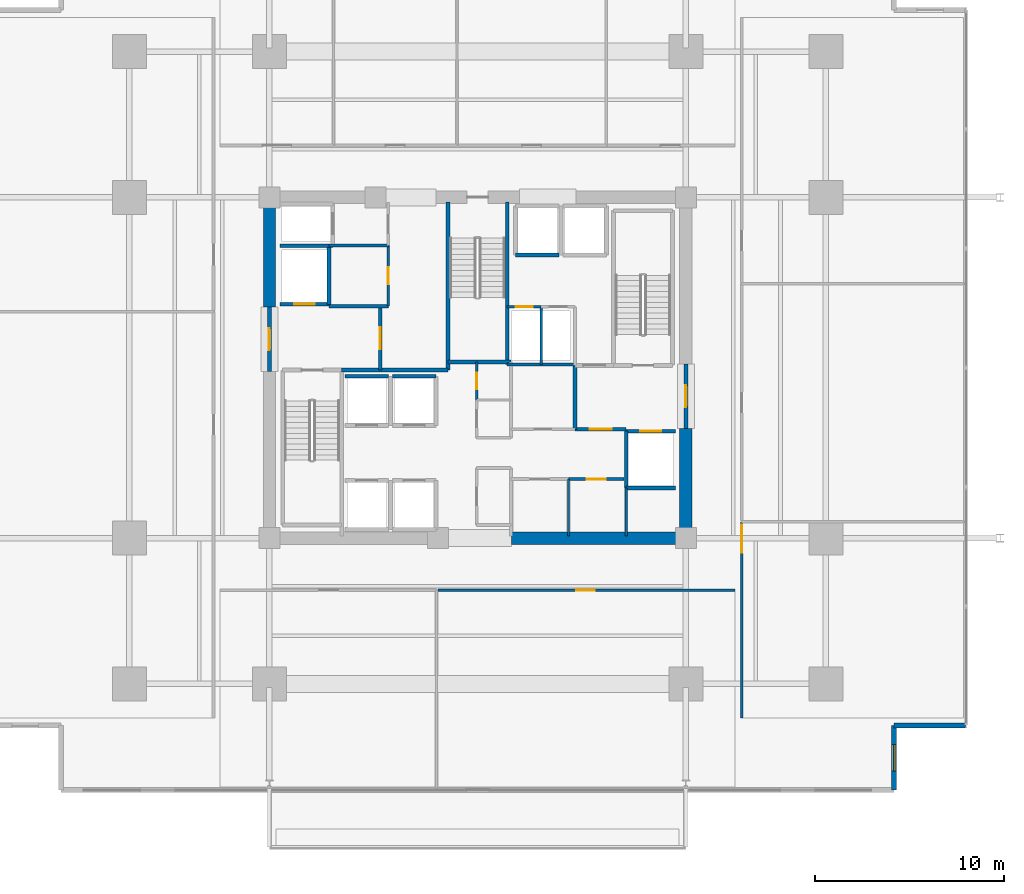
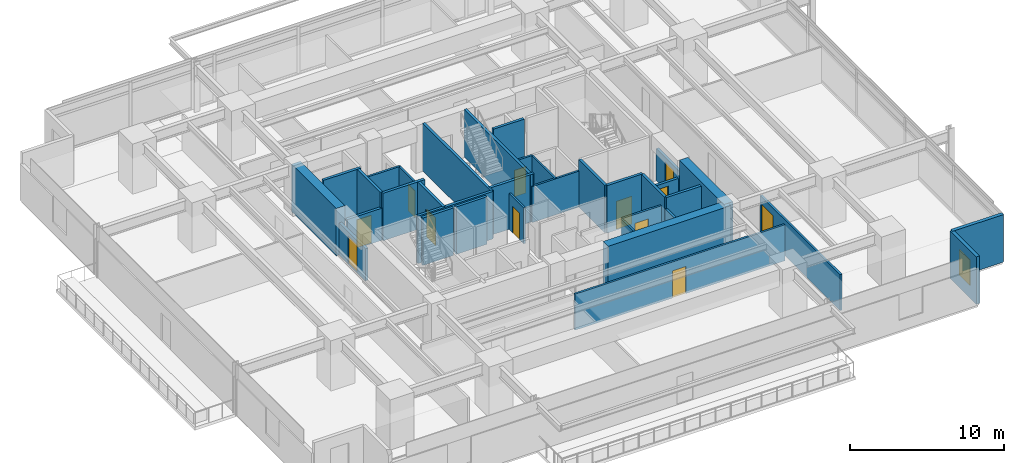
# One storey, part 15 of 22: 35 walls, 12 doors, 1 window, 13 openings.
"""IFC4 building model written with IfcOpenShell, lengths in metres."""

from ifc_helpers import new_model, si_unit, direction, frame, frame_2d, origin, place, context, subcontext, project, spatial, rectangle, extrude, material, layer, layer_set, type_object, element, fill, save


model = new_model("IFC4")

# Units and contexts
model_context = context("Model", 3, precision=1e-05, world=origin(), true_north=direction((0.0, 1.0)))
body_context = subcontext(model_context, "Body", "Model", "MODEL_VIEW")
ifc_project = project(units=[si_unit("LENGTHUNIT", "METRE"), si_unit("AREAUNIT", "SQUARE_METRE"), si_unit("VOLUMEUNIT", "CUBIC_METRE"), si_unit("PLANEANGLEUNIT", "RADIAN"), si_unit("MASSUNIT", "GRAM", prefix="KILO")], contexts=[model_context])

# Site, building, storey
site_placement = place(None, origin())
site = spatial("IfcSite", under=ifc_project, at=site_placement, CompositionType="ELEMENT")
building_placement = place(site_placement, origin())
building = spatial("IfcBuilding", under=site, at=building_placement, Name="Kovane Verandah Tower", CompositionType="ELEMENT")
storey_placement = place(building_placement, frame((0.0, 0.0, 59.60009765625)))
storey = spatial("IfcBuildingStorey", under=building, at=storey_placement, Name="L13", CompositionType="ELEMENT", Elevation=59.60009765625)

# Wall, opening, door
ifc_material_1 = material(Name="Fire-Rated Gypsum Stud Partition", Category="gypsum")
ifc_layer_1 = layer(ifc_material_1, 0.14990234375)
ifc_layer_set_1 = layer_set([ifc_layer_1], Name="Fire-Rated Gypsum Stud Partition")
wall_type_1 = type_object("IfcWallType", Name="WL-COR-150", PredefinedType="PARTITIONING", material=ifc_layer_set_1)
wall_1_placement = place(storey_placement, frame((39.949951171875, 25.800048828125, 0.0), z_axis=(0.0, 0.0, 1.0), x_axis=(0.0, 1.0, 0.0)))
wall_1 = element("IfcWall", 1, at=wall_1_placement, inside=storey, type_object=wall_type_1, Name="L13 Electrical Riser Room Partition", PredefinedType="PARTITIONING", context=body_context, shape_type="SweptSolid", body=[
    extrude(rectangle(XDim=2.0, YDim=0.14990234375, at=frame_2d((1.0, 0.0))), origin(), (0.0, 0.0, 1.0), 2.849853515625),
])
opening_1_placement = place(wall_1_placement, frame((0.56005859375, 0.0, 0.0)))
opening_1 = element("IfcOpeningElement", 2, at=opening_1_placement, cuts=wall_1, Name="Opening DR-L13-026", PredefinedType="OPENING", context=body_context, shape_type="SweptSolid", body=[
    extrude(rectangle(XDim=0.8798828125, YDim=2.10009765625, at=frame_2d((0.43994140625, 1.050048828125))), frame((0.0, 0.074951171875, 0.0), z_axis=(0.0, -1.0, 0.0), x_axis=(1.0, 0.0, 0.0)), (0.0, 0.0, 1.0), 0.14990234375),
])
ifc_material_2 = material(Name="Fire-Rated Steel Riser Access Door", Category="steel")
door_type_1 = type_object("IfcDoorType", Name="DR-RISER-880", OperationType="SINGLE_SWING_LEFT", PredefinedType="DOOR", material=ifc_material_2)
door_1_placement = place(opening_1_placement, origin())
door_1 = element("IfcDoor", 3, at=door_1_placement, inside=storey, type_object=door_type_1, Name="L13 Electrical Riser Room Door", OperationType="SINGLE_SWING_LEFT", OverallHeight=2.10009765625, OverallWidth=0.8798828125, PredefinedType="DOOR", context=body_context, shape_type="SweptSolid", body=[
    extrude(rectangle(XDim=0.8798828125, YDim=2.10009765625, at=frame_2d((0.43994140625, 1.050048828125))), frame((0.0, 0.02490234375, 0.0), z_axis=(0.0, -1.0, 0.0), x_axis=(1.0, 0.0, 0.0)), (0.0, 0.0, 1.0), 0.050048828125),
])
fill(opening_1, door_1)

# Wall
wall_2_placement = place(storey_placement, frame((32.14990234375, 33.949951171875, 0.0), z_axis=(0.0, 0.0, 1.0), x_axis=(1.0, 0.0, 0.0)))
element("IfcWall", 4, at=wall_2_placement, inside=storey, type_object=wall_type_1, Name="L13 Goods Lift Lobby South Wall", PredefinedType="PARTITIONING", context=body_context, shape_type="SweptSolid", body=[
    extrude(rectangle(XDim=3.130126953125, YDim=0.14990234375, at=frame_2d((1.56494140625, 0.0))), origin(), (0.0, 0.0, 1.0), 2.849853515625),
])

# Wall, opening, door
wall_3_placement = place(storey_placement, frame((35.280029296875, 30.75, 0.0), z_axis=(0.0, 0.0, 1.0), x_axis=(0.0, 1.0, 0.0)))
wall_3 = element("IfcWall", 5, at=wall_3_placement, inside=storey, type_object=wall_type_1, Name="L13 Accessible Unisex Toilet Partition", PredefinedType="PARTITIONING", context=body_context, shape_type="SweptSolid", body=[
    extrude(rectangle(XDim=3.199951171875, YDim=0.14990234375, at=frame_2d((1.60009765625, 0.0))), origin(), (0.0, 0.0, 1.0), 2.849853515625),
])
opening_2_placement = place(wall_3_placement, frame((1.14990234375, 0.0, 0.0)))
opening_2 = element("IfcOpeningElement", 6, at=opening_2_placement, cuts=wall_3, Name="Opening DR-L13-027", PredefinedType="OPENING", context=body_context, shape_type="SweptSolid", body=[
    extrude(rectangle(XDim=0.89990234375, YDim=2.10009765625, at=frame_2d((0.449951171875, 1.050048828125))), frame((0.0, 0.074951171875, 0.0), z_axis=(0.0, -1.0, 0.0), x_axis=(1.0, 0.0, 0.0)), (0.0, 0.0, 1.0), 0.14990234375),
])
ifc_material_3 = material(Name="Moisture-Resistant Laminate Washroom Door", Category="wood")
door_type_2 = type_object("IfcDoorType", Name="DR-WC-900", OperationType="SINGLE_SWING_LEFT", PredefinedType="DOOR", material=ifc_material_3)
door_2_placement = place(opening_2_placement, origin())
door_2 = element("IfcDoor", 7, at=door_2_placement, inside=storey, type_object=door_type_2, Name="L13 Accessible Unisex Toilet Door", OperationType="SINGLE_SWING_LEFT", OverallHeight=2.10009765625, OverallWidth=0.89990234375, PredefinedType="DOOR", context=body_context, shape_type="SweptSolid", body=[
    extrude(rectangle(XDim=0.89990234375, YDim=2.10009765625, at=frame_2d((0.449951171875, 1.050048828125))), frame((0.0, 0.02490234375, 0.0), z_axis=(0.0, -1.0, 0.0), x_axis=(1.0, 0.0, 0.0)), (0.0, 0.0, 1.0), 0.050048828125),
])
fill(opening_2, door_2)

# Walls
wall_4_placement = place(storey_placement, frame((41.56005859375, 27.679931640625, 0.0), z_axis=(0.0, 0.0, 1.0), x_axis=(1.0, 0.0, 0.0)))
element("IfcWall", 8, at=wall_4_placement, inside=storey, type_object=wall_type_1, Name="L13 East Core Service Riser South Wall", PredefinedType="PARTITIONING", context=body_context, shape_type="SweptSolid", body=[
    extrude(rectangle(XDim=3.58984375, YDim=0.14990234375, at=frame_2d((1.794921875, 0.0))), origin(), (0.0, 0.0, 1.0), 2.849853515625),
])
wall_5_placement = place(storey_placement, frame((47.85009765625, 18.60009765625, 0.0), z_axis=(0.0, 0.0, 1.0), x_axis=(0.0, 1.0, 0.0)))
element("IfcWall", 9, at=wall_5_placement, inside=storey, type_object=wall_type_1, Name="L13 East Core Support East Wall", PredefinedType="PARTITIONING", context=body_context, shape_type="SweptSolid", body=[
    extrude(rectangle(XDim=2.539794921875, YDim=0.14990234375, at=frame_2d((1.27001953125, 0.0))), origin(), (0.0, 0.0, 1.0), 2.849853515625),
])

# Wall, opening, door
wall_6_placement = place(storey_placement, frame((44.800048828125, 21.6201171875, 0.0), z_axis=(0.0, 0.0, 1.0), x_axis=(1.0, 0.0, 0.0)))
wall_6 = element("IfcWall", 10, at=wall_6_placement, inside=storey, type_object=wall_type_1, Name="L13 East IT Server Room Partition", PredefinedType="PARTITIONING", context=body_context, shape_type="SweptSolid", body=[
    extrude(rectangle(XDim=2.93994140625, YDim=0.14990234375, at=frame_2d((1.469970703125, 0.0))), origin(), (0.0, 0.0, 1.0), 2.849853515625),
])
opening_3_placement = place(wall_6_placement, frame((0.969970703125, 0.0, 0.0)))
opening_3 = element("IfcOpeningElement", 11, at=opening_3_placement, cuts=wall_6, Name="Opening DR-L13-016", PredefinedType="OPENING", context=body_context, shape_type="SweptSolid", body=[
    extrude(rectangle(XDim=1.0, YDim=2.14990234375, at=frame_2d((0.5, 1.074951171875))), frame((0.0, 0.074951171875, 0.0), z_axis=(0.0, -1.0, 0.0), x_axis=(1.0, 0.0, 0.0)), (0.0, 0.0, 1.0), 0.14990234375),
])
ifc_material_4 = material(Name="FSC Spotted-Gum Timber Fire-Rated Office Door", Category="wood")
door_type_3 = type_object("IfcDoorType", Name="DR-OFF-1000", OperationType="SINGLE_SWING_LEFT", PredefinedType="DOOR", material=ifc_material_4)
door_3_placement = place(opening_3_placement, origin())
door_3 = element("IfcDoor", 12, at=door_3_placement, inside=storey, type_object=door_type_3, Name="L13 East IT Server Room Door", OperationType="SINGLE_SWING_LEFT", OverallHeight=2.14990234375, OverallWidth=1.0, PredefinedType="DOOR", context=body_context, shape_type="SweptSolid", body=[
    extrude(rectangle(XDim=1.0, YDim=2.14990234375, at=frame_2d((0.5, 1.074951171875))), frame((0.0, 0.02490234375, 0.0), z_axis=(0.0, -1.0, 0.0), x_axis=(1.0, 0.0, 0.0)), (0.0, 0.0, 1.0), 0.050048828125),
])
fill(opening_3, door_3)

wall_7_placement = place(storey_placement, frame((41.56005859375, 30.719970703125, 0.0), z_axis=(0.0, 0.0, 1.0), x_axis=(1.0, 0.0, 0.0)))
wall_7 = element("IfcWall", 13, at=wall_7_placement, inside=storey, type_object=wall_type_1, Name="L13 Chilled Water Riser Room Partition", PredefinedType="PARTITIONING", context=body_context, shape_type="SweptSolid", body=[
    extrude(rectangle(XDim=1.800048828125, YDim=0.14990234375, at=frame_2d((0.89990234375, 0.0))), origin(), (0.0, 0.0, 1.0), 2.849853515625),
])
opening_4_placement = place(wall_7_placement, frame((0.4599609375, 0.0, 0.0)))
opening_4 = element("IfcOpeningElement", 14, at=opening_4_placement, cuts=wall_7, Name="Opening DR-L13-018", PredefinedType="OPENING", context=body_context, shape_type="SweptSolid", body=[
    extrude(rectangle(XDim=0.8798828125, YDim=2.10009765625, at=frame_2d((0.43994140625, 1.050048828125))), frame((0.0, 0.074951171875, 0.0), z_axis=(0.0, -1.0, 0.0), x_axis=(1.0, 0.0, 0.0)), (0.0, 0.0, 1.0), 0.14990234375),
])
door_4_placement = place(opening_4_placement, origin())
door_4 = element("IfcDoor", 15, at=door_4_placement, inside=storey, type_object=door_type_1, Name="L13 Chilled Water Riser Room Door", OperationType="SINGLE_SWING_LEFT", OverallHeight=2.10009765625, OverallWidth=0.8798828125, PredefinedType="DOOR", context=body_context, shape_type="SweptSolid", body=[
    extrude(rectangle(XDim=0.8798828125, YDim=2.10009765625, at=frame_2d((0.43994140625, 1.050048828125))), frame((0.0, 0.02490234375, 0.0), z_axis=(0.0, -1.0, 0.0), x_axis=(1.0, 0.0, 0.0)), (0.0, 0.0, 1.0), 0.050048828125),
])
fill(opening_4, door_4)

wall_8_placement = place(storey_placement, frame((37.89404296875, 15.75, 0.0), z_axis=(0.0, 0.0, 1.0), x_axis=(1.0, 0.0, 0.0)))
wall_8 = element("IfcWall", 16, at=wall_8_placement, inside=storey, type_object=wall_type_1, Name="L13 Document and Print Room S2 Corridor Partition", PredefinedType="PARTITIONING", context=body_context, shape_type="SweptSolid", body=[
    extrude(rectangle(XDim=15.7060546875, YDim=0.14990234375, at=frame_2d((7.85302734375, 0.0))), origin(), (0.0, 0.0, 1.0), 2.849853515625),
])
opening_5_placement = place(wall_8_placement, frame((7.302978515625, 0.0, 0.0)))
opening_5 = element("IfcOpeningElement", 17, at=opening_5_placement, cuts=wall_8, Name="Opening DR-L13-025", PredefinedType="OPENING", context=body_context, shape_type="SweptSolid", body=[
    extrude(rectangle(XDim=1.0, YDim=2.14990234375, at=frame_2d((0.5, 1.074951171875))), frame((0.0, 0.074951171875, 0.0), z_axis=(0.0, -1.0, 0.0), x_axis=(1.0, 0.0, 0.0)), (0.0, 0.0, 1.0), 0.14990234375),
])
door_5_placement = place(opening_5_placement, origin())
door_5 = element("IfcDoor", 18, at=door_5_placement, inside=storey, type_object=door_type_3, Name="L13 Document and Print Room S2 Entrance Door", OperationType="SINGLE_SWING_RIGHT", OverallHeight=2.14990234375, OverallWidth=1.0, PredefinedType="DOOR", context=body_context, shape_type="SweptSolid", body=[
    extrude(rectangle(XDim=1.0, YDim=2.14990234375, at=frame_2d((0.5, 1.074951171875))), frame((0.0, 0.02490234375, 0.0), z_axis=(0.0, -1.0, 0.0), x_axis=(1.0, 0.0, 0.0)), (0.0, 0.0, 1.0), 0.050048828125),
])
fill(opening_5, door_5)

wall_9_placement = place(storey_placement, frame((53.949951171875, 8.996337890625, 0.0), z_axis=(0.0, 0.0, 1.0), x_axis=(0.0, 1.0, 0.0)))
wall_9 = element("IfcWall", 19, at=wall_9_placement, inside=storey, type_object=wall_type_1, Name="L13 Client Boardroom E1 Corridor Partition", PredefinedType="PARTITIONING", context=body_context, shape_type="SweptSolid", body=[
    extrude(rectangle(XDim=10.362060546875, YDim=0.14990234375, at=frame_2d((5.18115234375, 0.0))), origin(), (0.0, 0.0, 1.0), 2.849853515625),
])
opening_6_placement = place(wall_9_placement, frame((8.721923828125, 0.0, 0.0)))
opening_6 = element("IfcOpeningElement", 20, at=opening_6_placement, cuts=wall_9, Name="Opening DR-L13-012", PredefinedType="OPENING", context=body_context, shape_type="SweptSolid", body=[
    extrude(rectangle(XDim=1.5, YDim=2.25, at=frame_2d((0.75, 1.125))), frame((0.0, 0.074951171875, 0.0), z_axis=(0.0, -1.0, 0.0), x_axis=(1.0, 0.0, 0.0)), (0.0, 0.0, 1.0), 0.14990234375),
])
ifc_material_5 = material(Name="Glazed Timber Fire-Rated Double Door", Category="wood")
door_type_4 = type_object("IfcDoorType", Name="DR-CONF-1500", OperationType="DOUBLE_DOOR_SINGLE_SWING", PredefinedType="DOOR", material=ifc_material_5)
door_6_placement = place(opening_6_placement, origin())
door_6 = element("IfcDoor", 21, at=door_6_placement, inside=storey, type_object=door_type_4, Name="L13 Client Boardroom E1 Entrance Door", OperationType="DOUBLE_DOOR_SINGLE_SWING", OverallHeight=2.25, OverallWidth=1.5, PredefinedType="DOOR", context=body_context, shape_type="SweptSolid", body=[
    extrude(rectangle(XDim=1.5, YDim=2.25, at=frame_2d((0.75, 1.125))), frame((0.0, 0.02490234375, 0.0), z_axis=(0.0, -1.0, 0.0), x_axis=(1.0, 0.0, 0.0)), (0.0, 0.0, 1.0), 0.050048828125),
])
fill(opening_6, door_6)

# Walls
ifc_material_6 = material(Name="Concrete C80/95", Category="concrete")
ifc_layer_2 = layer(ifc_material_6, 0.64990234375)
ifc_layer_set_2 = layer_set([ifc_layer_2], Name="Concrete C80/95")
wall_type_2 = type_object("IfcWallType", Name="WL-CORE-650", PredefinedType="SHEAR", material=ifc_layer_set_2)
wall_10_placement = place(storey_placement, frame((41.800048828125, 18.5, 0.0), z_axis=(0.0, 0.0, 1.0), x_axis=(1.0, 0.0, 0.0)))
element("IfcWall", 22, at=wall_10_placement, inside=storey, type_object=wall_type_2, Name="L13 Core Shear Wall CS-2", PredefinedType="SHEAR", context=body_context, shape_type="SweptSolid", body=[
    extrude(rectangle(XDim=9.199951171875, YDim=0.64990234375, at=frame_2d((4.60009765625, 0.0))), origin(), (0.0, 0.0, 1.0), 3.760009765625),
])
for number, where, z_axis, x_axis, name in (
    (23, (29.0, 30.699951171875, 0.0), (0.0, 0.0, 1.0), (0.0, 1.0, 0.0), "L13 Core Shear Wall CW-2"),
    (24, (51.0, 18.5, 0.0), (0.0, 0.0, 1.0), (0.0, 1.0, 0.0), "L13 Core Shear Wall CE-1"),
):
    element("IfcWall", number, at=place(storey_placement, frame(where, z_axis=z_axis, x_axis=x_axis)), inside=storey, type_object=wall_type_2, Name=name, PredefinedType="SHEAR", context=body_context, shape_type="SweptSolid", body=[
        extrude(rectangle(XDim=5.800048828125, YDim=0.64990234375, at=frame_2d((2.89990234375, 0.0))), origin(), (0.0, 0.0, 1.0), 3.760009765625),
    ])

# Wall, opening, door
ifc_material_7 = material(Name="Concrete C45/55 Fire Wall", Category="concrete")
ifc_layer_3 = layer(ifc_material_7, 0.199951171875)
ifc_layer_set_3 = layer_set([ifc_layer_3], Name="Concrete C45/55 Fire Wall")
wall_type_3 = type_object("IfcWallType", Name="WL-FFL-200", PredefinedType="PARTITIONING", material=ifc_layer_set_3)
wall_11_placement = place(storey_placement, frame((34.85009765625, 27.3798828125, 0.0), z_axis=(0.0, 0.0, 1.0), x_axis=(0.0, 1.0, 0.0)))
wall_11 = element("IfcWall", 25, at=wall_11_placement, inside=storey, type_object=wall_type_3, Name="W-L13-FFLW-E", PredefinedType="PARTITIONING", context=body_context, shape_type="SweptSolid", body=[
    extrude(rectangle(XDim=3.3701171875, YDim=0.199951171875, at=frame_2d((1.68505859375, 0.0))), origin(), (0.0, 0.0, 1.0), 3.760009765625),
])
opening_7_placement = place(wall_11_placement, frame((1.110107421875, 0.0, 0.0)))
opening_7 = element("IfcOpeningElement", 26, at=opening_7_placement, cuts=wall_11, Name="Opening DR-L13-006", PredefinedType="OPENING", context=body_context, shape_type="SweptSolid", body=[
    extrude(rectangle(XDim=1.14990234375, YDim=2.199951171875, at=frame_2d((0.574951171875, 1.10009765625))), frame((0.0, 0.10009765625, 0.0), z_axis=(0.0, -1.0, 0.0), x_axis=(1.0, 0.0, 0.0)), (0.0, 0.0, 1.0), 0.199951171875),
])
ifc_material_8 = material(Name="Smoke-Sealed Firefighting Lobby Door", Category="steel")
door_type_5 = type_object("IfcDoorType", Name="DR-FFL-1150", OperationType="SINGLE_SWING_LEFT", PredefinedType="DOOR", material=ifc_material_8)
door_7_placement = place(opening_7_placement, origin())
door_7 = element("IfcDoor", 27, at=door_7_placement, inside=storey, type_object=door_type_5, Name="L13 West Firefighting Lobby Inner Door", OperationType="SINGLE_SWING_LEFT", OverallHeight=2.199951171875, OverallWidth=1.14990234375, PredefinedType="DOOR", context=body_context, shape_type="SweptSolid", body=[
    extrude(rectangle(XDim=1.14990234375, YDim=2.199951171875, at=frame_2d((0.574951171875, 1.10009765625))), frame((0.0, 0.02490234375, 0.0), z_axis=(0.0, -1.0, 0.0), x_axis=(1.0, 0.0, 0.0)), (0.0, 0.0, 1.0), 0.050048828125),
])
fill(opening_7, door_7)

wall_12_placement = place(storey_placement, frame((29.0, 27.300048828125, 0.0), z_axis=(0.0, 0.0, 1.0), x_axis=(0.0, 1.0, 0.0)))
wall_12 = element("IfcWall", 28, at=wall_12_placement, inside=storey, type_object=wall_type_3, Name="W-L13-FFLW-OUT", PredefinedType="PARTITIONING", context=body_context, shape_type="SweptSolid", body=[
    extrude(rectangle(XDim=3.39990234375, YDim=0.199951171875, at=frame_2d((1.699951171875, 0.0))), origin(), (0.0, 0.0, 1.0), 2.539794921875),
])
opening_8_placement = place(wall_12_placement, frame((1.125, 0.0, 0.0)))
opening_8 = element("IfcOpeningElement", 29, at=opening_8_placement, cuts=wall_12, Name="Opening DR-L13-007", PredefinedType="OPENING", context=body_context, shape_type="SweptSolid", body=[
    extrude(rectangle(XDim=1.14990234375, YDim=2.199951171875, at=frame_2d((0.574951171875, 1.10009765625))), frame((0.0, 0.10009765625, 0.0), z_axis=(0.0, -1.0, 0.0), x_axis=(1.0, 0.0, 0.0)), (0.0, 0.0, 1.0), 0.199951171875),
])
door_8_placement = place(opening_8_placement, origin())
door_8 = element("IfcDoor", 30, at=door_8_placement, inside=storey, type_object=door_type_5, Name="L13 West Firefighting Lobby Corridor Door", OperationType="SINGLE_SWING_RIGHT", OverallHeight=2.199951171875, OverallWidth=1.14990234375, PredefinedType="DOOR", context=body_context, shape_type="SweptSolid", body=[
    extrude(rectangle(XDim=1.14990234375, YDim=2.199951171875, at=frame_2d((0.574951171875, 1.10009765625))), frame((0.0, 0.02490234375, 0.0), z_axis=(0.0, -1.0, 0.0), x_axis=(1.0, 0.0, 0.0)), (0.0, 0.0, 1.0), 0.050048828125),
])
fill(opening_8, door_8)

# Walls
wall_13_placement = place(storey_placement, frame((32.820068359375, 27.3798828125, 0.0), z_axis=(0.0, 0.0, 1.0), x_axis=(1.0, 0.0, 0.0)))
element("IfcWall", 31, at=wall_13_placement, inside=storey, type_object=wall_type_3, Name="L13 West Firefighting Lobby South Fire Wall", PredefinedType="PARTITIONING", context=body_context, shape_type="SweptSolid", body=[
    extrude(rectangle(XDim=5.619873046875, YDim=0.199951171875, at=frame_2d((2.81005859375, 0.0))), origin(), (0.0, 0.0, 1.0), 3.760009765625),
])
wall_14_placement = place(storey_placement, frame((32.14990234375, 30.75, 0.0), z_axis=(0.0, 0.0, 1.0), x_axis=(1.0, 0.0, 0.0)))
element("IfcWall", 32, at=wall_14_placement, inside=storey, type_object=wall_type_3, Name="L13 West Firefighting Lobby North Fire Wall", PredefinedType="PARTITIONING", context=body_context, shape_type="SweptSolid", body=[
    extrude(rectangle(XDim=3.130126953125, YDim=0.199951171875, at=frame_2d((1.56494140625, 0.0))), origin(), (0.0, 0.0, 1.0), 3.760009765625),
])
wall_15_placement = place(storey_placement, frame((45.14990234375, 24.25, 0.0), z_axis=(0.0, 0.0, 1.0), x_axis=(0.0, 1.0, 0.0)))
element("IfcWall", 33, at=wall_15_placement, inside=storey, type_object=wall_type_3, Name="L13 East Firefighting Lobby West Fire Wall", PredefinedType="PARTITIONING", context=body_context, shape_type="SweptSolid", body=[
    extrude(rectangle(XDim=3.3701171875, YDim=0.199951171875, at=frame_2d((1.68505859375, 0.0))), origin(), (0.0, 0.0, 1.0), 3.760009765625),
])

# Wall, opening, door
wall_16_placement = place(storey_placement, frame((45.14990234375, 24.25, 0.0), z_axis=(0.0, 0.0, 1.0), x_axis=(1.0, 0.0, 0.0)))
wall_16 = element("IfcWall", 34, at=wall_16_placement, inside=storey, type_object=wall_type_3, Name="W-L13-FFLE-S", PredefinedType="PARTITIONING", context=body_context, shape_type="SweptSolid", body=[
    extrude(rectangle(XDim=2.7001953125, YDim=0.199951171875, at=frame_2d((1.35009765625, 0.0))), origin(), (0.0, 0.0, 1.0), 3.760009765625),
])
opening_9_placement = place(wall_16_placement, frame((0.77490234375, 0.0, 0.0)))
opening_9 = element("IfcOpeningElement", 35, at=opening_9_placement, cuts=wall_16, Name="Opening DR-L13-003", PredefinedType="OPENING", context=body_context, shape_type="SweptSolid", body=[
    extrude(rectangle(XDim=1.14990234375, YDim=2.199951171875, at=frame_2d((0.574951171875, 1.10009765625))), frame((0.0, 0.10009765625, 0.0), z_axis=(0.0, -1.0, 0.0), x_axis=(1.0, 0.0, 0.0)), (0.0, 0.0, 1.0), 0.199951171875),
])
door_9_placement = place(opening_9_placement, origin())
door_9 = element("IfcDoor", 36, at=door_9_placement, inside=storey, type_object=door_type_5, Name="L13 East Firefighting Lobby Inner Door", OperationType="SINGLE_SWING_RIGHT", OverallHeight=2.199951171875, OverallWidth=1.14990234375, PredefinedType="DOOR", context=body_context, shape_type="SweptSolid", body=[
    extrude(rectangle(XDim=1.14990234375, YDim=2.199951171875, at=frame_2d((0.574951171875, 1.10009765625))), frame((0.0, 0.02490234375, 0.0), z_axis=(0.0, -1.0, 0.0), x_axis=(1.0, 0.0, 0.0)), (0.0, 0.0, 1.0), 0.050048828125),
])
fill(opening_9, door_9)

wall_17_placement = place(storey_placement, frame((51.0, 24.300048828125, 0.0), z_axis=(0.0, 0.0, 1.0), x_axis=(0.0, 1.0, 0.0)))
wall_17 = element("IfcWall", 37, at=wall_17_placement, inside=storey, type_object=wall_type_3, Name="W-L13-FFLE-OUT", PredefinedType="PARTITIONING", context=body_context, shape_type="SweptSolid", body=[
    extrude(rectangle(XDim=3.39990234375, YDim=0.199951171875, at=frame_2d((1.699951171875, 0.0))), origin(), (0.0, 0.0, 1.0), 2.539794921875),
])
opening_10_placement = place(wall_17_placement, frame((1.125, 0.0, 0.0)))
opening_10 = element("IfcOpeningElement", 38, at=opening_10_placement, cuts=wall_17, Name="Opening DR-L13-005", PredefinedType="OPENING", context=body_context, shape_type="SweptSolid", body=[
    extrude(rectangle(XDim=1.14990234375, YDim=2.199951171875, at=frame_2d((0.574951171875, 1.10009765625))), frame((0.0, 0.10009765625, 0.0), z_axis=(0.0, -1.0, 0.0), x_axis=(1.0, 0.0, 0.0)), (0.0, 0.0, 1.0), 0.199951171875),
])
door_10_placement = place(opening_10_placement, origin())
door_10 = element("IfcDoor", 39, at=door_10_placement, inside=storey, type_object=door_type_5, Name="L13 East Firefighting Lobby Corridor Door", OperationType="SINGLE_SWING_LEFT", OverallHeight=2.199951171875, OverallWidth=1.14990234375, PredefinedType="DOOR", context=body_context, shape_type="SweptSolid", body=[
    extrude(rectangle(XDim=1.14990234375, YDim=2.199951171875, at=frame_2d((0.574951171875, 1.10009765625))), frame((0.0, 0.02490234375, 0.0), z_axis=(0.0, -1.0, 0.0), x_axis=(1.0, 0.0, 0.0)), (0.0, 0.0, 1.0), 0.050048828125),
])
fill(opening_10, door_10)

ifc_material_9 = material(Name="Concrete C45/55 Lift Shaft Wall", Category="concrete")
ifc_layer_4 = layer(ifc_material_9, 0.199951171875)
ifc_layer_set_4 = layer_set([ifc_layer_4], Name="Concrete C45/55 Lift Shaft Wall")
wall_type_4 = type_object("IfcWallType", Name="WL-LIFT-200", PredefinedType="SOLIDWALL", material=ifc_layer_set_4)
wall_18_placement = place(storey_placement, frame((29.550048828125, 30.85009765625, 0.0), z_axis=(0.0, 0.0, 1.0), x_axis=(1.0, 0.0, 0.0)))
wall_18 = element("IfcWall", 40, at=wall_18_placement, inside=storey, type_object=wall_type_4, Name="L13 Lift FL-01 S Shaft Wall", PredefinedType="SOLIDWALL", context=body_context, shape_type="SweptSolid", body=[
    extrude(rectangle(XDim=2.599853515625, YDim=0.199951171875, at=frame_2d((1.2998046875, 0.0))), origin(), (0.0, 0.0, 1.0), 2.539794921875),
])
opening_11_placement = place(wall_18_placement, frame((0.75, 0.0, 0.0)))
opening_11 = element("IfcOpeningElement", 41, at=opening_11_placement, cuts=wall_18, Name="Opening LD-L13-001", PredefinedType="OPENING", context=body_context, shape_type="SweptSolid", body=[
    extrude(rectangle(XDim=1.10009765625, YDim=2.199951171875, at=frame_2d((0.550048828125, 1.10009765625))), frame((0.0, 0.10009765625, 0.0), z_axis=(0.0, -1.0, 0.0), x_axis=(1.0, 0.0, 0.0)), (0.0, 0.0, 1.0), 0.199951171875),
])
ifc_material_10 = material(Name="Brushed Stainless Steel Sliding Lift Landing Door", Category="steel")
door_type_6 = type_object("IfcDoorType", Name="DR-LIFT-1100", OperationType="SLIDING_TO_RIGHT", PredefinedType="DOOR", material=ifc_material_10)
door_11_placement = place(opening_11_placement, origin())
door_11 = element("IfcDoor", 42, at=door_11_placement, inside=storey, type_object=door_type_6, Name="L13 Lift FL-01 Sliding Landing Door", OperationType="SLIDING_TO_RIGHT", OverallHeight=2.199951171875, OverallWidth=1.10009765625, PredefinedType="DOOR", context=body_context, shape_type="SweptSolid", body=[
    extrude(rectangle(XDim=1.10009765625, YDim=2.199951171875, at=frame_2d((0.550048828125, 1.10009765625))), frame((0.0, 0.02490234375, 0.0), z_axis=(0.0, -1.0, 0.0), x_axis=(1.0, 0.0, 0.0)), (0.0, 0.0, 1.0), 0.050048828125),
])
fill(opening_11, door_11)

# Walls
wall_19_placement = place(storey_placement, frame((29.550048828125, 33.949951171875, 0.0), z_axis=(0.0, 0.0, 1.0), x_axis=(1.0, 0.0, 0.0)))
element("IfcWall", 43, at=wall_19_placement, inside=storey, type_object=wall_type_4, Name="L13 Lift FL-01 and GL-01 Shared Shaft Wall", PredefinedType="SOLIDWALL", context=body_context, shape_type="SweptSolid", body=[
    extrude(rectangle(XDim=2.800048828125, YDim=0.199951171875, at=frame_2d((1.39990234375, 0.0))), origin(), (0.0, 0.0, 1.0), 3.760009765625),
])
wall_20_placement = place(storey_placement, frame((32.14990234375, 30.85009765625, 0.0), z_axis=(0.0, 0.0, 1.0), x_axis=(0.0, 1.0, 0.0)))
element("IfcWall", 44, at=wall_20_placement, inside=storey, type_object=wall_type_4, Name="L13 Lift FL-01 E Shaft Wall", PredefinedType="SOLIDWALL", context=body_context, shape_type="SweptSolid", body=[
    extrude(rectangle(XDim=3.0, YDim=0.199951171875, at=frame_2d((1.5, 0.0))), origin(), (0.0, 0.0, 1.0), 3.760009765625),
])
wall_21_placement = place(storey_placement, frame((47.85009765625, 21.14990234375, 0.0), z_axis=(0.0, 0.0, 1.0), x_axis=(1.0, 0.0, 0.0)))
element("IfcWall", 45, at=wall_21_placement, inside=storey, type_object=wall_type_4, Name="L13 Lift FL-02 S Shaft Wall", PredefinedType="SOLIDWALL", context=body_context, shape_type="SweptSolid", body=[
    extrude(rectangle(XDim=2.599853515625, YDim=0.199951171875, at=frame_2d((1.2998046875, 0.0))), origin(), (0.0, 0.0, 1.0), 3.760009765625),
])

# Wall, opening, door
wall_22_placement = place(storey_placement, frame((50.449951171875, 24.14990234375, 0.0), z_axis=(0.0, 0.0, 1.0), x_axis=(-1.0, 0.0, 0.0)))
wall_22 = element("IfcWall", 46, at=wall_22_placement, inside=storey, type_object=wall_type_4, Name="L13 Lift FL-02 N Shaft Wall", PredefinedType="SOLIDWALL", context=body_context, shape_type="SweptSolid", body=[
    extrude(rectangle(XDim=2.599853515625, YDim=0.199951171875, at=frame_2d((1.2998046875, 0.0))), origin(), (0.0, 0.0, 1.0), 2.539794921875),
])
opening_12_placement = place(wall_22_placement, frame((0.75, 0.0, 0.0)))
opening_12 = element("IfcOpeningElement", 47, at=opening_12_placement, cuts=wall_22, Name="Opening LD-L13-002", PredefinedType="OPENING", context=body_context, shape_type="SweptSolid", body=[
    extrude(rectangle(XDim=1.10009765625, YDim=2.199951171875, at=frame_2d((0.550048828125, 1.10009765625))), frame((0.0, 0.10009765625, 0.0), z_axis=(0.0, -1.0, 0.0), x_axis=(1.0, 0.0, 0.0)), (0.0, 0.0, 1.0), 0.199951171875),
])
door_12_placement = place(opening_12_placement, origin())
door_12 = element("IfcDoor", 48, at=door_12_placement, inside=storey, type_object=door_type_6, Name="L13 Lift FL-02 Sliding Landing Door", OperationType="SLIDING_TO_RIGHT", OverallHeight=2.199951171875, OverallWidth=1.10009765625, PredefinedType="DOOR", context=body_context, shape_type="SweptSolid", body=[
    extrude(rectangle(XDim=1.10009765625, YDim=2.199951171875, at=frame_2d((0.550048828125, 1.10009765625))), frame((0.0, 0.02490234375, 0.0), z_axis=(0.0, -1.0, 0.0), x_axis=(1.0, 0.0, 0.0)), (0.0, 0.0, 1.0), 0.050048828125),
])
fill(opening_12, door_12)

# Walls
wall_23_placement = place(storey_placement, frame((47.85009765625, 24.14990234375, 0.0), z_axis=(0.0, 0.0, 1.0), x_axis=(0.0, -1.0, 0.0)))
element("IfcWall", 49, at=wall_23_placement, inside=storey, type_object=wall_type_4, Name="L13 Lift FL-02 W Shaft Wall", PredefinedType="SOLIDWALL", context=body_context, shape_type="SweptSolid", body=[
    extrude(rectangle(XDim=3.0, YDim=0.199951171875, at=frame_2d((1.5, 0.0))), origin(), (0.0, 0.0, 1.0), 3.760009765625),
])
for number, where, z_axis, x_axis, name in (
    (50, (35.300048828125, 27.050048828125, 0.0), (0.0, 0.0, 1.0), (-1.0, 0.0, 0.0), "L13 Lift PL-L3 N Shaft Wall"),
    (51, (37.800048828125, 27.050048828125, 0.0), (0.0, 0.0, 1.0), (-1.0, 0.0, 0.0), "L13 Lift PL-L4 N Shaft Wall"),
    (52, (42.0, 33.449951171875, 0.0), (0.0, 0.0, 1.0), (1.0, 0.0, 0.0), "L13 Lift SL-01 S Shaft Wall"),
):
    element("IfcWall", number, at=place(storey_placement, frame(where, z_axis=z_axis, x_axis=x_axis)), inside=storey, type_object=wall_type_4, Name=name, PredefinedType="SOLIDWALL", context=body_context, shape_type="SweptSolid", body=[
        extrude(rectangle(XDim=2.300048828125, YDim=0.199951171875, at=frame_2d((1.14990234375, 0.0))), origin(), (0.0, 0.0, 1.0), 3.760009765625),
    ])
ifc_material_11 = material(Name="Acoustic Fire-Rated Gypsum Partition", Category="gypsum")
ifc_layer_5 = layer(ifc_material_11, 0.1201171875)
ifc_layer_set_5 = layer_set([ifc_layer_5], Name="Acoustic Fire-Rated Gypsum Partition")
wall_type_5 = type_object("IfcWallType", Name="WL-PART-120", PredefinedType="PARTITIONING", material=ifc_layer_set_5)
wall_24_placement = place(storey_placement, frame((44.800048828125, 18.60009765625, 0.0), z_axis=(0.0, 0.0, 1.0), x_axis=(0.0, 1.0, 0.0)))
element("IfcWall", 53, at=wall_24_placement, inside=storey, type_object=wall_type_5, Name="L13 East Core Support Dividing Partition", PredefinedType="PARTITIONING", context=body_context, shape_type="SweptSolid", body=[
    extrude(rectangle(XDim=3.02001953125, YDim=0.1201171875, at=frame_2d((1.510009765625, 0.0))), origin(), (0.0, 0.0, 1.0), 2.849853515625),
])
wall_25_placement = place(storey_placement, frame((43.360107421875, 27.679931640625, 0.0), z_axis=(0.0, 0.0, 1.0), x_axis=(0.0, 1.0, 0.0)))
element("IfcWall", 54, at=wall_25_placement, inside=storey, type_object=wall_type_5, Name="L13 Service Riser Dividing Partition", PredefinedType="PARTITIONING", context=body_context, shape_type="SweptSolid", body=[
    extrude(rectangle(XDim=3.0400390625, YDim=0.1201171875, at=frame_2d((1.52001953125, 0.0))), origin(), (0.0, 0.0, 1.0), 2.849853515625),
])
ifc_material_12 = material(Name="Concrete C45/55", Category="concrete")
ifc_layer_6 = layer(ifc_material_12, 0.199951171875)
ifc_layer_set_6 = layer_set([ifc_layer_6], Name="Concrete C45/55")
wall_type_6 = type_object("IfcWallType", Name="WL-SHAFT-200", PredefinedType="SOLIDWALL", material=ifc_layer_set_6)
wall_26_placement = place(storey_placement, frame((38.43994140625, 27.3798828125, 0.0), z_axis=(0.0, 0.0, 1.0), x_axis=(0.0, 1.0, 0.0)))
element("IfcWall", 55, at=wall_26_placement, inside=storey, type_object=wall_type_6, Name="W-L13-ST03-W", PredefinedType="SOLIDWALL", context=body_context, shape_type="SweptSolid", body=[
    extrude(rectangle(XDim=8.8701171875, YDim=0.199951171875, at=frame_2d((4.43505859375, 0.0))), origin(), (0.0, 0.0, 1.0), 3.760009765625),
])
wall_27_placement = place(storey_placement, frame((41.56005859375, 27.679931640625, 0.0), z_axis=(0.0, 0.0, 1.0), x_axis=(0.0, 1.0, 0.0)))
element("IfcWall", 56, at=wall_27_placement, inside=storey, type_object=wall_type_6, Name="W-L13-ST03-E", PredefinedType="SOLIDWALL", context=body_context, shape_type="SweptSolid", body=[
    extrude(rectangle(XDim=8.570068359375, YDim=0.199951171875, at=frame_2d((4.28515625, 0.0))), origin(), (0.0, 0.0, 1.0), 3.760009765625),
])
wall_28_placement = place(storey_placement, frame((38.43994140625, 27.800048828125, 0.0), z_axis=(0.0, 0.0, 1.0), x_axis=(1.0, 0.0, 0.0)))
element("IfcWall", 57, at=wall_28_placement, inside=storey, type_object=wall_type_6, Name="W-L13-ST03-S", PredefinedType="SOLIDWALL", context=body_context, shape_type="SweptSolid", body=[
    extrude(rectangle(XDim=3.320068359375, YDim=0.199951171875, at=frame_2d((1.66015625, 0.0))), origin(), (0.0, 0.0, 1.0), 3.760009765625),
])

# Wall, opening, window
ifc_material_13 = material(Name="Concrete C45/55 Insulated Spandrel Wall", Category="concrete")
ifc_layer_7 = layer(ifc_material_13, 0.260009765625)
ifc_layer_set_7 = layer_set([ifc_layer_7], Name="Concrete C45/55 Insulated Spandrel Wall")
wall_type_7 = type_object("IfcWallType", Name="WL-SPANDREL-260", PredefinedType="PARAPET", material=ifc_layer_set_7)
wall_29_placement = place(storey_placement, frame((62.005126953125, 5.1962890625, 0.0), z_axis=(0.0, 0.0, 1.0), x_axis=(0.0, 1.0, 0.0)))
wall_29 = element("IfcWall", 58, at=wall_29_placement, inside=storey, type_object=wall_type_7, Name="L13 SE Notch Cheek Wall 1", PredefinedType="PARAPET", context=body_context, shape_type="SweptSolid", body=[
    extrude(rectangle(XDim=3.400146484375, YDim=0.260009765625, at=frame_2d((1.7001953125, 0.0))), origin(), (0.0, 0.0, 1.0), 3.760009765625),
])
opening_13_placement = place(wall_29_placement, frame((1.0, 0.0, 0.85009765625)))
opening_13 = element("IfcOpeningElement", 59, at=opening_13_placement, cuts=wall_29, Name="Opening W-01", PredefinedType="OPENING", context=body_context, shape_type="SweptSolid", body=[
    extrude(rectangle(XDim=1.39990234375, YDim=2.0, at=frame_2d((0.699951171875, 1.0))), frame((0.0, 0.1298828125, 0.0), z_axis=(0.0, -1.0, 0.0), x_axis=(1.0, 0.0, 0.0)), (0.0, 0.0, 1.0), 0.260009765625),
])
ifc_material_14 = material(Name="Clear Low-E Laminated Double Glazing in Anodised Frame", Category="glass")
window_type = type_object("IfcWindowType", Name="WN-OPER-1400x2000", PartitioningType="SINGLE_PANEL", PredefinedType="WINDOW", material=ifc_material_14)
window_placement = place(opening_13_placement, origin())
window = element("IfcWindow", 60, at=window_placement, inside=storey, type_object=window_type, Name="L13 SE Re-Entrant Corner Operable Window", OverallHeight=2.0, OverallWidth=1.39990234375, PartitioningType="SINGLE_PANEL", PredefinedType="WINDOW", context=body_context, shape_type="SweptSolid", body=[
    extrude(rectangle(XDim=1.39990234375, YDim=2.0, at=frame_2d((0.699951171875, 1.0))), frame((0.0, 0.030029296875, 0.0), z_axis=(0.0, -1.0, 0.0), x_axis=(1.0, 0.0, 0.0)), (0.0, 0.0, 1.0), 0.06005859375),
])
fill(opening_13, window)

# Wall
wall_30_placement = place(storey_placement, frame((62.005126953125, 8.596435546875, 0.0), z_axis=(0.0, 0.0, 1.0), x_axis=(1.0, 0.0, 0.0)))
element("IfcWall", 61, at=wall_30_placement, inside=storey, type_object=wall_type_7, Name="L13 SE Notch Cheek Wall 2", PredefinedType="PARAPET", context=body_context, shape_type="SweptSolid", body=[
    extrude(rectangle(XDim=3.800048828125, YDim=0.260009765625, at=frame_2d((1.89990234375, 0.0))), origin(), (0.0, 0.0, 1.0), 3.760009765625),
])

save(model, "model.ifc")
